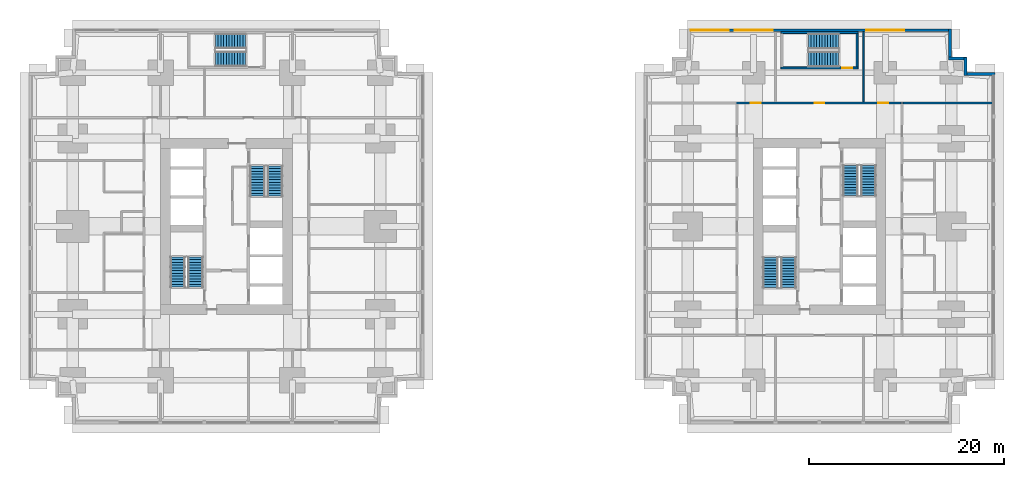
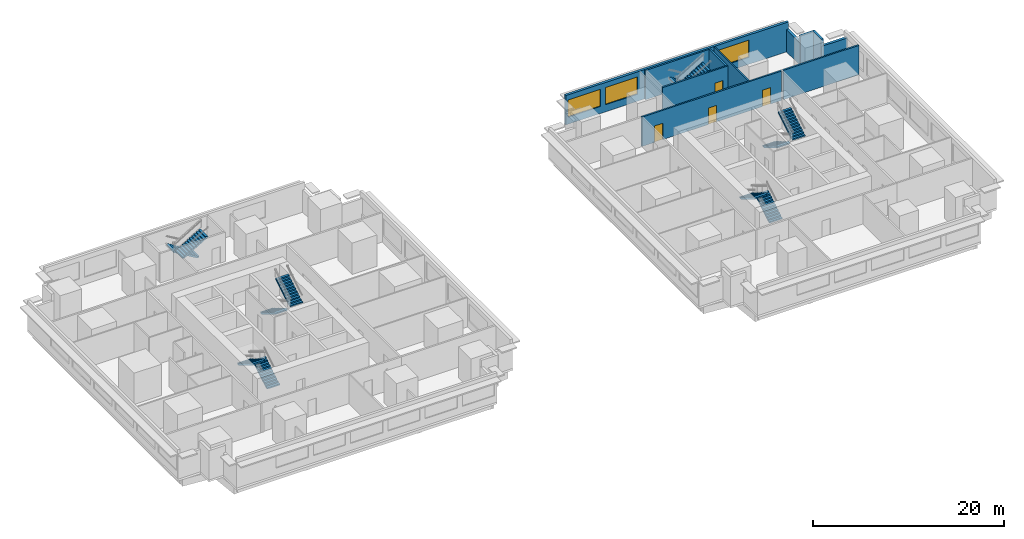
# One storey, part 8 of 11: 12 stair flights, 11 walls, 4 doors, 3 windows, 7 openings, 6 elements without a shape of their own.
"""IFC4 building model written with IfcOpenShell, lengths in metres."""

from ifc_helpers import new_model, si_unit, direction, frame, frame_2d, origin, place, context, subcontext, project, spatial, polyline, rectangle, outline, extrude, material, layer, layer_set, type_object, element, fill, aggregate, save


model = new_model("IFC4")

# Units and contexts
model_context = context("Model", 3, precision=1e-05, world=origin(), true_north=direction((0.0, 1.0)))
body_context = subcontext(model_context, "Body", "Model", "MODEL_VIEW")
ifc_project = project(units=[si_unit("LENGTHUNIT", "METRE"), si_unit("AREAUNIT", "SQUARE_METRE"), si_unit("VOLUMEUNIT", "CUBIC_METRE"), si_unit("PLANEANGLEUNIT", "RADIAN"), si_unit("MASSUNIT", "GRAM", prefix="KILO")], contexts=[model_context])

# Site, building, storey
site_placement = place(None, origin())
site = spatial("IfcSite", under=ifc_project, at=site_placement, CompositionType="ELEMENT")
building_placement = place(site_placement, origin())
building = spatial("IfcBuilding", under=site, at=building_placement, Name="Namib Vertical Campus", CompositionType="ELEMENT")
storey_placement = place(building_placement, frame((0.0, 0.0, 25.0)))
storey = spatial("IfcBuildingStorey", under=building, at=storey_placement, Name="L05", CompositionType="ELEMENT", Elevation=25.0)

# Wall, openings, doors
ifc_material_1 = material(Name="Concrete masonry", Category="masonry")
ifc_layer_1 = layer(ifc_material_1, 0.199951171875)
ifc_layer_set_1 = layer_set([ifc_layer_1], Name="Corridor wall 200")
wall_type_1 = type_object("IfcWallType", Name="Corridor wall 200", PredefinedType="SOLIDWALL", material=ifc_layer_set_1)
wall_1_placement = place(storey_placement, frame((89.35009765625, 32.89990234375, 0.0), z_axis=(0.0, 0.0, 1.0), x_axis=(-1.0, 0.0, 0.0)))
wall_1 = element("IfcWall", 1, at=wall_1_placement, inside=storey, type_object=wall_type_1, Name="Corridor wall B L05 CN", PredefinedType="SOLIDWALL", context=body_context, shape_type="SweptSolid", body=[
    extrude(rectangle(XDim=16.900146484375, YDim=0.199951171875, at=frame_2d((8.4501953125, 0.0))), origin(), (0.0, 0.0, 1.0), 3.75),
])
opening_1_placement = place(wall_1_placement, frame((14.375, 0.0, 0.0)))
opening_1 = element("IfcOpeningElement", 2, at=opening_1_placement, cuts=wall_1, Name="Opening CD1", PredefinedType="OPENING", context=body_context, shape_type="SweptSolid", body=[
    extrude(rectangle(XDim=1.0, YDim=2.10009765625, at=frame_2d((0.5, 1.050048828125))), frame((0.0, 0.10986328125, 0.0), z_axis=(0.0, -1.0, 0.0), x_axis=(1.0, 0.0, 0.0)), (0.0, 0.0, 1.0), 0.219970703125),
])
opening_2_placement = place(wall_1_placement, frame((7.85009765625, 0.0, 0.0)))
opening_2 = element("IfcOpeningElement", 3, at=opening_2_placement, cuts=wall_1, Name="Opening CD1", PredefinedType="OPENING", context=body_context, shape_type="SweptSolid", body=[
    extrude(rectangle(XDim=1.0, YDim=2.10009765625, at=frame_2d((0.5, 1.050048828125))), frame((0.0, 0.10986328125, 0.0), z_axis=(0.0, -1.0, 0.0), x_axis=(1.0, 0.0, 0.0)), (0.0, 0.0, 1.0), 0.219970703125),
])
opening_3_placement = place(wall_1_placement, frame((1.324951171875, 0.0, 0.0)))
opening_3 = element("IfcOpeningElement", 4, at=opening_3_placement, cuts=wall_1, Name="Opening CD1", PredefinedType="OPENING", context=body_context, shape_type="SweptSolid", body=[
    extrude(rectangle(XDim=1.0, YDim=2.10009765625, at=frame_2d((0.5, 1.050048828125))), frame((0.0, 0.10986328125, 0.0), z_axis=(0.0, -1.0, 0.0), x_axis=(1.0, 0.0, 0.0)), (0.0, 0.0, 1.0), 0.219970703125),
])
ifc_material_2 = material(Name="Timber fire door leaf", Category="wood")
door_type_1 = type_object("IfcDoorType", Name="Corridor door 1000x2100 20 min", OperationType="SINGLE_SWING_LEFT", PredefinedType="DOOR", material=ifc_material_2)
door_1_placement = place(opening_1_placement, frame((1.0, 0.0, 0.0), z_axis=(0.0, 0.0, 1.0), x_axis=(-1.0, 0.0, 0.0)))
door_1 = element("IfcDoor", 5, at=door_1_placement, inside=storey, type_object=door_type_1, Name="Door CD1 B05-11", OperationType="SINGLE_SWING_RIGHT", OverallHeight=2.10009765625, OverallWidth=1.0, PredefinedType="DOOR", context=body_context, shape_type="SweptSolid", body=[
    extrude(rectangle(XDim=1.0, YDim=2.10009765625, at=frame_2d((0.5, 1.050048828125))), frame((0.0, 0.02490234375, 0.0), z_axis=(0.0, -1.0, 0.0), x_axis=(1.0, 0.0, 0.0)), (0.0, 0.0, 1.0), 0.050048828125),
])
fill(opening_1, door_1)
door_2_placement = place(opening_2_placement, frame((1.0, 0.0, 0.0), z_axis=(0.0, 0.0, 1.0), x_axis=(-1.0, 0.0, 0.0)))
door_2 = element("IfcDoor", 6, at=door_2_placement, inside=storey, type_object=door_type_1, Name="Door CD1 B05-12", OperationType="SINGLE_SWING_RIGHT", OverallHeight=2.10009765625, OverallWidth=1.0, PredefinedType="DOOR", context=body_context, shape_type="SweptSolid", body=[
    extrude(rectangle(XDim=1.0, YDim=2.10009765625, at=frame_2d((0.5, 1.050048828125))), frame((0.0, 0.02490234375, 0.0), z_axis=(0.0, -1.0, 0.0), x_axis=(1.0, 0.0, 0.0)), (0.0, 0.0, 1.0), 0.050048828125),
])
fill(opening_2, door_2)
door_3_placement = place(opening_3_placement, frame((1.0, 0.0, 0.0), z_axis=(0.0, 0.0, 1.0), x_axis=(-1.0, 0.0, 0.0)))
door_3 = element("IfcDoor", 7, at=door_3_placement, inside=storey, type_object=door_type_1, Name="Door CD1 B05-13", OperationType="SINGLE_SWING_LEFT", OverallHeight=2.10009765625, OverallWidth=1.0, PredefinedType="DOOR", context=body_context, shape_type="SweptSolid", body=[
    extrude(rectangle(XDim=1.0, YDim=2.10009765625, at=frame_2d((0.5, 1.050048828125))), frame((0.0, 0.02490234375, 0.0), z_axis=(0.0, -1.0, 0.0), x_axis=(1.0, 0.0, 0.0)), (0.0, 0.0, 1.0), 0.050048828125),
])
fill(opening_3, door_3)

# Walls
wall_2_placement = place(storey_placement, frame((89.550048828125, 32.89990234375, 0.0), z_axis=(0.0, 0.0, 1.0), x_axis=(1.0, 0.0, 0.0)))
element("IfcWall", 8, at=wall_2_placement, inside=storey, type_object=wall_type_1, Name="Partition B L05 BNE", PredefinedType="SOLIDWALL", context=body_context, shape_type="SweptSolid", body=[
    extrude(rectangle(XDim=9.14990234375, YDim=0.199951171875, at=frame_2d((4.574951171875, 0.0))), origin(), (0.0, 0.0, 1.0), 3.75),
])
ifc_material_3 = material(Name="Concrete C40/50", Category="concrete")
ifc_layer_2 = layer(ifc_material_3, 0.300048828125)
ifc_layer_set_2 = layer_set([ifc_layer_2], Name="Concrete C40/50")
wall_type_2 = type_object("IfcWallType", Name="External wall 300 board-marked concrete", PredefinedType="STANDARD", material=ifc_layer_set_2)
wall_3_placement = place(storey_placement, frame((98.97998046875, 35.85009765625, 0.0), z_axis=(0.0, 0.0, 1.0), x_axis=(-1.0, 0.0, 0.0)))
element("IfcWall", 9, at=wall_3_placement, inside=storey, type_object=wall_type_2, Name="External wall L05 F07", PredefinedType="STANDARD", context=body_context, shape_type="SweptSolid", body=[
    extrude(rectangle(XDim=3.159912109375, YDim=0.300048828125, at=frame_2d((1.580078125, 0.0))), origin(), (0.0, 0.0, 1.0), 2.85009765625),
])
for number, where, z_axis, x_axis, name in (
    (10, (95.949951171875, 35.719970703125, 0.0), (0.0, 0.0, 1.0), (0.0, 1.0, 0.0), "External wall L05 F08"),
    (11, (96.080078125, 37.449951171875, 0.0), (0.0, 0.0, 1.0), (-1.0, 0.0, 0.0), "External wall L05 F09"),
):
    element("IfcWall", number, at=place(storey_placement, frame(where, z_axis=z_axis, x_axis=x_axis)), inside=storey, type_object=wall_type_2, Name=name, PredefinedType="STANDARD", context=body_context, shape_type="SweptSolid", body=[
        extrude(rectangle(XDim=1.860107421875, YDim=0.300048828125, at=frame_2d((0.93017578125, 0.0))), origin(), (0.0, 0.0, 1.0), 3.75),
    ])
wall_4_placement = place(storey_placement, frame((94.35009765625, 37.320068359375, 0.0), z_axis=(0.0, 0.0, 1.0), x_axis=(0.0, 1.0, 0.0)))
element("IfcWall", 12, at=wall_4_placement, inside=storey, type_object=wall_type_2, Name="External wall L05 F10", PredefinedType="STANDARD", context=body_context, shape_type="SweptSolid", body=[
    extrude(rectangle(XDim=3.159912109375, YDim=0.300048828125, at=frame_2d((1.580078125, 0.0))), origin(), (0.0, 0.0, 1.0), 2.85009765625),
])

# Wall, openings, windows
wall_5_placement = place(storey_placement, frame((94.47998046875, 40.35009765625, 0.0), z_axis=(0.0, 0.0, 1.0), x_axis=(-1.0, 0.0, 0.0)))
wall_5 = element("IfcWall", 13, at=wall_5_placement, inside=storey, type_object=wall_type_2, Name="External wall L05 F11", PredefinedType="STANDARD", context=body_context, shape_type="SweptSolid", body=[
    extrude(rectangle(XDim=26.9599609375, YDim=0.300048828125, at=frame_2d((13.47998046875, 0.0))), origin(), (0.0, 0.0, 1.0), 3.75),
])
opening_4_placement = place(wall_5_placement, frame((22.780029296875, 0.0, 0.89990234375)))
opening_4 = element("IfcOpeningElement", 14, at=opening_4_placement, cuts=wall_5, Name="Opening W1", PredefinedType="OPENING", context=body_context, shape_type="SweptSolid", body=[
    extrude(rectangle(XDim=3.89990234375, YDim=2.199951171875, at=frame_2d((1.949951171875, 1.10009765625))), frame((0.0, 0.159912109375, 0.0), z_axis=(0.0, -1.0, 0.0), x_axis=(1.0, 0.0, 0.0)), (0.0, 0.0, 1.0), 0.320068359375),
])
opening_5_placement = place(wall_5_placement, frame((18.280029296875, 0.0, 0.89990234375)))
opening_5 = element("IfcOpeningElement", 15, at=opening_5_placement, cuts=wall_5, Name="Opening W1", PredefinedType="OPENING", context=body_context, shape_type="SweptSolid", body=[
    extrude(rectangle(XDim=3.89990234375, YDim=2.199951171875, at=frame_2d((1.949951171875, 1.10009765625))), frame((0.0, 0.159912109375, 0.0), z_axis=(0.0, -1.0, 0.0), x_axis=(1.0, 0.0, 0.0)), (0.0, 0.0, 1.0), 0.320068359375),
])
opening_6_placement = place(wall_5_placement, frame((4.780029296875, 0.0, 0.89990234375)))
opening_6 = element("IfcOpeningElement", 16, at=opening_6_placement, cuts=wall_5, Name="Opening W1", PredefinedType="OPENING", context=body_context, shape_type="SweptSolid", body=[
    extrude(rectangle(XDim=3.89990234375, YDim=2.199951171875, at=frame_2d((1.949951171875, 1.10009765625))), frame((0.0, 0.159912109375, 0.0), z_axis=(0.0, -1.0, 0.0), x_axis=(1.0, 0.0, 0.0)), (0.0, 0.0, 1.0), 0.320068359375),
])
ifc_material_4 = material(Name="Dark tinted glass in black aluminium frame", Category="aluminium")
window_type = type_object("IfcWindowType", Name="Ribbon window 3900x2200", PartitioningType="SINGLE_PANEL", PredefinedType="WINDOW", material=ifc_material_4)
window_1_placement = place(opening_4_placement, origin())
window_1 = element("IfcWindow", 17, at=window_1_placement, inside=storey, type_object=window_type, Name="Window W1 L05 F11-1", OverallHeight=2.199951171875, OverallWidth=3.89990234375, PartitioningType="SINGLE_PANEL", PredefinedType="WINDOW", context=body_context, shape_type="SweptSolid", body=[
    extrude(rectangle(XDim=3.89990234375, YDim=2.199951171875, at=frame_2d((1.949951171875, 1.10009765625))), frame((0.0, 0.030029296875, 0.0), z_axis=(0.0, -1.0, 0.0), x_axis=(1.0, 0.0, 0.0)), (0.0, 0.0, 1.0), 0.06005859375),
])
fill(opening_4, window_1)
window_2_placement = place(opening_5_placement, origin())
window_2 = element("IfcWindow", 18, at=window_2_placement, inside=storey, type_object=window_type, Name="Window W1 L05 F11-2", OverallHeight=2.199951171875, OverallWidth=3.89990234375, PartitioningType="SINGLE_PANEL", PredefinedType="WINDOW", context=body_context, shape_type="SweptSolid", body=[
    extrude(rectangle(XDim=3.89990234375, YDim=2.199951171875, at=frame_2d((1.949951171875, 1.10009765625))), frame((0.0, 0.030029296875, 0.0), z_axis=(0.0, -1.0, 0.0), x_axis=(1.0, 0.0, 0.0)), (0.0, 0.0, 1.0), 0.06005859375),
])
fill(opening_5, window_2)
window_3_placement = place(opening_6_placement, origin())
window_3 = element("IfcWindow", 19, at=window_3_placement, inside=storey, type_object=window_type, Name="Window W1 L05 F11-5", OverallHeight=2.199951171875, OverallWidth=3.89990234375, PartitioningType="SINGLE_PANEL", PredefinedType="WINDOW", context=body_context, shape_type="SweptSolid", body=[
    extrude(rectangle(XDim=3.89990234375, YDim=2.199951171875, at=frame_2d((1.949951171875, 1.10009765625))), frame((0.0, 0.030029296875, 0.0), z_axis=(0.0, -1.0, 0.0), x_axis=(1.0, 0.0, 0.0)), (0.0, 0.0, 1.0), 0.06005859375),
])
fill(opening_6, window_3)

# Wall
ifc_material_5 = material(Name="Gypsum board on steel studs", Category="steel")
ifc_layer_3 = layer(ifc_material_5, 0.14990234375)
ifc_layer_set_3 = layer_set([ifc_layer_3], Name="Gypsum board on steel studs")
wall_type_3 = type_object("IfcWallType", Name="Partition 150", PredefinedType="PARTITIONING", material=ifc_layer_set_3)
wall_6_placement = place(storey_placement, frame((85.5, 33.0, 0.0), z_axis=(0.0, 0.0, 1.0), x_axis=(0.0, 1.0, 0.0)))
element("IfcWall", 20, at=wall_6_placement, inside=storey, type_object=wall_type_3, Name="Partition B L05 PN2", PredefinedType="PARTITIONING", context=body_context, shape_type="SweptSolid", body=[
    extrude(rectangle(XDim=7.199951171875, YDim=0.14990234375, at=frame_2d((3.60009765625, 0.0))), origin(), (0.0, 0.0, 1.0), 3.75),
])

# Wall, opening, door
ifc_material_6 = material(Name="Concrete C40/50", Category="concrete")
ifc_layer_4 = layer(ifc_material_6, 0.199951171875)
ifc_layer_set_4 = layer_set([ifc_layer_4], Name="Concrete C40/50")
wall_type_4 = type_object("IfcWallType", Name="Stair enclosure wall RC 200", PredefinedType="SOLIDWALL", material=ifc_layer_set_4)
wall_7_placement = place(storey_placement, frame((77.050048828125, 36.5, 0.0), z_axis=(0.0, 0.0, 1.0), x_axis=(1.0, 0.0, 0.0)))
wall_7 = element("IfcWall", 21, at=wall_7_placement, inside=storey, type_object=wall_type_4, Name="Stair enclosure wall B-S3 L05 S", PredefinedType="SOLIDWALL", context=body_context, shape_type="SweptSolid", body=[
    extrude(rectangle(XDim=7.89990234375, YDim=0.199951171875, at=frame_2d((3.949951171875, 0.0))), origin(), (0.0, 0.0, 1.0), 3.75),
])
opening_7_placement = place(wall_7_placement, frame((6.300048828125, 0.0, 0.0)))
opening_7 = element("IfcOpeningElement", 22, at=opening_7_placement, cuts=wall_7, Name="Opening FD1", PredefinedType="OPENING", context=body_context, shape_type="SweptSolid", body=[
    extrude(rectangle(XDim=1.0, YDim=2.10009765625, at=frame_2d((0.5, 1.050048828125))), frame((0.0, 0.10986328125, 0.0), z_axis=(0.0, -1.0, 0.0), x_axis=(1.0, 0.0, 0.0)), (0.0, 0.0, 1.0), 0.219970703125),
])
ifc_material_7 = material(Name="Steel fire door", Category="steel")
door_type_2 = type_object("IfcDoorType", Name="Fire door 1000x2100", OperationType="SINGLE_SWING_RIGHT", PredefinedType="DOOR", material=ifc_material_7)
door_4_placement = place(opening_7_placement, origin())
door_4 = element("IfcDoor", 23, at=door_4_placement, inside=storey, type_object=door_type_2, Name="Stair door FD1 B L05 S3", OperationType="SINGLE_SWING_RIGHT", OverallHeight=2.10009765625, OverallWidth=1.0, PredefinedType="DOOR", context=body_context, shape_type="SweptSolid", body=[
    extrude(rectangle(XDim=1.0, YDim=2.10009765625, at=frame_2d((0.5, 1.050048828125))), frame((0.0, 0.02490234375, 0.0), z_axis=(0.0, -1.0, 0.0), x_axis=(1.0, 0.0, 0.0)), (0.0, 0.0, 1.0), 0.050048828125),
])
fill(opening_7, door_4)

# Walls
wall_8_placement = place(storey_placement, frame((77.050048828125, 40.10009765625, 0.0), z_axis=(0.0, 0.0, 1.0), x_axis=(1.0, 0.0, 0.0)))
element("IfcWall", 24, at=wall_8_placement, inside=storey, type_object=wall_type_4, Name="Stair enclosure wall B-S3 L05 N", PredefinedType="SOLIDWALL", context=body_context, shape_type="SweptSolid", body=[
    extrude(rectangle(XDim=7.89990234375, YDim=0.199951171875, at=frame_2d((3.949951171875, 0.0))), origin(), (0.0, 0.0, 1.0), 3.75),
])
wall_9_placement = place(storey_placement, frame((84.85009765625, 36.60009765625, 0.0), z_axis=(0.0, 0.0, 1.0), x_axis=(0.0, 1.0, 0.0)))
element("IfcWall", 25, at=wall_9_placement, inside=storey, type_object=wall_type_4, Name="Stair enclosure wall B-S3 L05 E", PredefinedType="SOLIDWALL", context=body_context, shape_type="SweptSolid", body=[
    extrude(rectangle(XDim=3.39990234375, YDim=0.199951171875, at=frame_2d((1.699951171875, 0.0))), origin(), (0.0, 0.0, 1.0), 3.75),
])

# Stair, stair flights
ifc_material_8 = material(Name="Concrete C40/50 precast", Category="concrete")
stair_type_1 = type_object("IfcStairType", Name="Exit stair 4000 rise 24 risers 3350 wide", PredefinedType="HALF_TURN_STAIR", material=ifc_material_8)
stair_1_placement = place(storey_placement, origin())
stair_1 = element("IfcStair", 26, at=stair_1_placement, inside=storey, type_object=stair_type_1, Name="Exit stair A-S1 L05", PredefinedType="HALF_TURN_STAIR")
ifc_material_9 = material(Name="Concrete C40/50 precast", Category="concrete")
stair_flight_type_1 = type_object("IfcStairFlightType", Name="Stair flight 12 risers 167 1525 wide", PredefinedType="STRAIGHT", material=ifc_material_9)
stair_flight_1_placement = place(storey_placement, frame((17.08740234375, 14.050048828125, 0.0), z_axis=(0.0, 0.0, 1.0), x_axis=(0.0, 1.0, 0.0)))
stair_flight_1 = element("IfcStairFlight", 27, at=stair_flight_1_placement, type_object=stair_flight_type_1, Name="A-S1 flight 1", NumberOfRisers=12, NumberOfTreads=11, PredefinedType="STRAIGHT", RiserHeight=0.166666667, TreadLength=0.28, context=body_context, shape_type="SweptSolid", body=[
    extrude(outline(polyline([(0.0, 0.0), (0.0, 0.166748046875), (0.280029296875, 0.166748046875), (0.280029296875, 0.333251953125), (0.56005859375, 0.333251953125), (0.56005859375, 0.5), (0.840087890625, 0.5), (0.840087890625, 0.666748046875), (1.1201171875, 0.666748046875), (1.1201171875, 0.833251953125), (1.39990234375, 0.833251953125), (1.39990234375, 1.0), (1.679931640625, 1.0), (1.679931640625, 1.166748046875), (1.9599609375, 1.166748046875), (1.9599609375, 1.333251953125), (2.239990234375, 1.333251953125), (2.239990234375, 1.5), (2.52001953125, 1.5), (2.52001953125, 1.666748046875), (2.800048828125, 1.666748046875), (2.800048828125, 1.833251953125), (3.080078125, 1.833251953125), (3.080078125, 2.0), (3.080078125, 1.658935546875), (0.29296875, 0.0), (0.0, 0.0)])), frame((0.0, 0.762451171875, 0.0), z_axis=(0.0, -1.0, 0.0), x_axis=(1.0, 0.0, 0.0)), (0.0, 0.0, 1.0), 1.52490234375),
])
stair_flight_2_placement = place(storey_placement, frame((15.262451171875, 17.1298828125, 2.0), z_axis=(0.0, 0.0, 1.0), x_axis=(0.0, -1.0, 0.0)))
stair_flight_2 = element("IfcStairFlight", 28, at=stair_flight_2_placement, type_object=stair_flight_type_1, Name="A-S1 flight 2", NumberOfRisers=12, NumberOfTreads=11, PredefinedType="STRAIGHT", RiserHeight=0.166666667, TreadLength=0.28, context=body_context, shape_type="SweptSolid", body=[
    extrude(outline(polyline([(0.0, 0.0), (0.0, 0.166748046875), (0.280029296875, 0.166748046875), (0.280029296875, 0.333251953125), (0.56005859375, 0.333251953125), (0.56005859375, 0.5), (0.840087890625, 0.5), (0.840087890625, 0.666748046875), (1.1201171875, 0.666748046875), (1.1201171875, 0.833251953125), (1.39990234375, 0.833251953125), (1.39990234375, 1.0), (1.679931640625, 1.0), (1.679931640625, 1.166748046875), (1.9599609375, 1.166748046875), (1.9599609375, 1.333251953125), (2.239990234375, 1.333251953125), (2.239990234375, 1.5), (2.52001953125, 1.5), (2.52001953125, 1.666748046875), (2.800048828125, 1.666748046875), (2.800048828125, 1.833251953125), (3.080078125, 1.833251953125), (3.080078125, 2.0), (3.080078125, 1.658935546875), (0.29296875, 0.0), (0.0, 0.0)])), frame((0.0, 0.762451171875, 0.0), z_axis=(0.0, -1.0, 0.0), x_axis=(1.0, 0.0, 0.0)), (0.0, 0.0, 1.0), 1.52490234375),
])
aggregate(stair_1, [stair_flight_1, stair_flight_2])

stair_2_placement = place(storey_placement, origin())
stair_2 = element("IfcStair", 29, at=stair_2_placement, inside=storey, type_object=stair_type_1, Name="Exit stair A-S2 L05", PredefinedType="HALF_TURN_STAIR")
stair_flight_3_placement = place(storey_placement, frame((23.41259765625, 26.449951171875, 0.0), z_axis=(0.0, 0.0, 1.0), x_axis=(0.0, -1.0, 0.0)))
stair_flight_3 = element("IfcStairFlight", 30, at=stair_flight_3_placement, type_object=stair_flight_type_1, Name="A-S2 flight 1", NumberOfRisers=12, NumberOfTreads=11, PredefinedType="STRAIGHT", RiserHeight=0.166666667, TreadLength=0.28, context=body_context, shape_type="SweptSolid", body=[
    extrude(outline(polyline([(0.0, 0.0), (0.0, 0.166748046875), (0.280029296875, 0.166748046875), (0.280029296875, 0.333251953125), (0.56005859375, 0.333251953125), (0.56005859375, 0.5), (0.840087890625, 0.5), (0.840087890625, 0.666748046875), (1.1201171875, 0.666748046875), (1.1201171875, 0.833251953125), (1.39990234375, 0.833251953125), (1.39990234375, 1.0), (1.679931640625, 1.0), (1.679931640625, 1.166748046875), (1.9599609375, 1.166748046875), (1.9599609375, 1.333251953125), (2.239990234375, 1.333251953125), (2.239990234375, 1.5), (2.52001953125, 1.5), (2.52001953125, 1.666748046875), (2.800048828125, 1.666748046875), (2.800048828125, 1.833251953125), (3.080078125, 1.833251953125), (3.080078125, 2.0), (3.080078125, 1.658935546875), (0.29296875, 0.0), (0.0, 0.0)])), frame((0.0, 0.762451171875, 0.0), z_axis=(0.0, -1.0, 0.0), x_axis=(1.0, 0.0, 0.0)), (0.0, 0.0, 1.0), 1.52490234375),
])
stair_flight_4_placement = place(storey_placement, frame((25.237548828125, 23.3701171875, 2.0), z_axis=(0.0, 0.0, 1.0), x_axis=(0.0, 1.0, 0.0)))
stair_flight_4 = element("IfcStairFlight", 31, at=stair_flight_4_placement, type_object=stair_flight_type_1, Name="A-S2 flight 2", NumberOfRisers=12, NumberOfTreads=11, PredefinedType="STRAIGHT", RiserHeight=0.166666667, TreadLength=0.28, context=body_context, shape_type="SweptSolid", body=[
    extrude(outline(polyline([(0.0, 0.0), (0.0, 0.166748046875), (0.280029296875, 0.166748046875), (0.280029296875, 0.333251953125), (0.56005859375, 0.333251953125), (0.56005859375, 0.5), (0.840087890625, 0.5), (0.840087890625, 0.666748046875), (1.1201171875, 0.666748046875), (1.1201171875, 0.833251953125), (1.39990234375, 0.833251953125), (1.39990234375, 1.0), (1.679931640625, 1.0), (1.679931640625, 1.166748046875), (1.9599609375, 1.166748046875), (1.9599609375, 1.333251953125), (2.239990234375, 1.333251953125), (2.239990234375, 1.5), (2.52001953125, 1.5), (2.52001953125, 1.666748046875), (2.800048828125, 1.666748046875), (2.800048828125, 1.833251953125), (3.080078125, 1.833251953125), (3.080078125, 2.0), (3.080078125, 1.658935546875), (0.29296875, 0.0), (0.0, 0.0)])), frame((0.0, 0.762451171875, 0.0), z_axis=(0.0, -1.0, 0.0), x_axis=(1.0, 0.0, 0.0)), (0.0, 0.0, 1.0), 1.52490234375),
])
aggregate(stair_2, [stair_flight_3, stair_flight_4])

stair_3_placement = place(storey_placement, origin())
stair_3 = element("IfcStair", 32, at=stair_3_placement, inside=storey, type_object=stair_type_1, Name="Exit stair A-S3 L05", PredefinedType="HALF_TURN_STAIR")
stair_flight_5_placement = place(storey_placement, frame((22.199951171875, 39.237548828125, 0.0), z_axis=(0.0, 0.0, 1.0), x_axis=(-1.0, 0.0, 0.0)))
stair_flight_5 = element("IfcStairFlight", 33, at=stair_flight_5_placement, type_object=stair_flight_type_1, Name="A-S3 flight 1", NumberOfRisers=12, NumberOfTreads=11, PredefinedType="STRAIGHT", RiserHeight=0.166666667, TreadLength=0.28, context=body_context, shape_type="SweptSolid", body=[
    extrude(outline(polyline([(0.0, 0.0), (0.0, 0.166748046875), (0.280029296875, 0.166748046875), (0.280029296875, 0.333251953125), (0.56005859375, 0.333251953125), (0.56005859375, 0.5), (0.840087890625, 0.5), (0.840087890625, 0.666748046875), (1.1201171875, 0.666748046875), (1.1201171875, 0.833251953125), (1.39990234375, 0.833251953125), (1.39990234375, 1.0), (1.679931640625, 1.0), (1.679931640625, 1.166748046875), (1.9599609375, 1.166748046875), (1.9599609375, 1.333251953125), (2.239990234375, 1.333251953125), (2.239990234375, 1.5), (2.52001953125, 1.5), (2.52001953125, 1.666748046875), (2.800048828125, 1.666748046875), (2.800048828125, 1.833251953125), (3.080078125, 1.833251953125), (3.080078125, 2.0), (3.080078125, 1.658935546875), (0.29296875, 0.0), (0.0, 0.0)])), frame((0.0, 0.762451171875, 0.0), z_axis=(0.0, -1.0, 0.0), x_axis=(1.0, 0.0, 0.0)), (0.0, 0.0, 1.0), 1.52490234375),
])
stair_flight_6_placement = place(storey_placement, frame((19.1201171875, 37.41259765625, 2.0), z_axis=(0.0, 0.0, 1.0), x_axis=(1.0, 0.0, 0.0)))
stair_flight_6 = element("IfcStairFlight", 34, at=stair_flight_6_placement, type_object=stair_flight_type_1, Name="A-S3 flight 2", NumberOfRisers=12, NumberOfTreads=11, PredefinedType="STRAIGHT", RiserHeight=0.166666667, TreadLength=0.28, context=body_context, shape_type="SweptSolid", body=[
    extrude(outline(polyline([(0.0, 0.0), (0.0, 0.166748046875), (0.280029296875, 0.166748046875), (0.280029296875, 0.333251953125), (0.56005859375, 0.333251953125), (0.56005859375, 0.5), (0.840087890625, 0.5), (0.840087890625, 0.666748046875), (1.1201171875, 0.666748046875), (1.1201171875, 0.833251953125), (1.39990234375, 0.833251953125), (1.39990234375, 1.0), (1.679931640625, 1.0), (1.679931640625, 1.166748046875), (1.9599609375, 1.166748046875), (1.9599609375, 1.333251953125), (2.239990234375, 1.333251953125), (2.239990234375, 1.5), (2.52001953125, 1.5), (2.52001953125, 1.666748046875), (2.800048828125, 1.666748046875), (2.800048828125, 1.833251953125), (3.080078125, 1.833251953125), (3.080078125, 2.0), (3.080078125, 1.658935546875), (0.29296875, 0.0), (0.0, 0.0)])), frame((0.0, 0.762451171875, 0.0), z_axis=(0.0, -1.0, 0.0), x_axis=(1.0, 0.0, 0.0)), (0.0, 0.0, 1.0), 1.52490234375),
])
aggregate(stair_3, [stair_flight_5, stair_flight_6])

ifc_material_10 = material(Name="Concrete C40/50 precast", Category="concrete")
stair_type_2 = type_object("IfcStairType", Name="Exit stair 4000 rise 24 risers 3400 wide", PredefinedType="HALF_TURN_STAIR", material=ifc_material_10)
stair_4_placement = place(storey_placement, origin())
stair_4 = element("IfcStair", 35, at=stair_4_placement, inside=storey, type_object=stair_type_2, Name="Exit stair B-S1 L05", PredefinedType="HALF_TURN_STAIR")
ifc_material_11 = material(Name="Concrete C40/50 precast", Category="concrete")
stair_flight_type_2 = type_object("IfcStairFlightType", Name="Stair flight 12 risers 167 1550 wide", PredefinedType="STRAIGHT", material=ifc_material_11)
stair_flight_7_placement = place(storey_placement, frame((77.824951171875, 14.0, 0.0), z_axis=(0.0, 0.0, 1.0), x_axis=(0.0, 1.0, 0.0)))
stair_flight_7 = element("IfcStairFlight", 36, at=stair_flight_7_placement, type_object=stair_flight_type_2, Name="B-S1 flight 1", NumberOfRisers=12, NumberOfTreads=11, PredefinedType="STRAIGHT", RiserHeight=0.166666667, TreadLength=0.28, context=body_context, shape_type="SweptSolid", body=[
    extrude(outline(polyline([(0.0, 0.0), (0.0, 0.166748046875), (0.280029296875, 0.166748046875), (0.280029296875, 0.333251953125), (0.56005859375, 0.333251953125), (0.56005859375, 0.5), (0.840087890625, 0.5), (0.840087890625, 0.666748046875), (1.1201171875, 0.666748046875), (1.1201171875, 0.833251953125), (1.39990234375, 0.833251953125), (1.39990234375, 1.0), (1.679931640625, 1.0), (1.679931640625, 1.166748046875), (1.9599609375, 1.166748046875), (1.9599609375, 1.333251953125), (2.239990234375, 1.333251953125), (2.239990234375, 1.5), (2.52001953125, 1.5), (2.52001953125, 1.666748046875), (2.800048828125, 1.666748046875), (2.800048828125, 1.833251953125), (3.080078125, 1.833251953125), (3.080078125, 2.0), (3.080078125, 1.658935546875), (0.29296875, 0.0), (0.0, 0.0)])), frame((0.0, 0.77490234375, 0.0), z_axis=(0.0, -1.0, 0.0), x_axis=(1.0, 0.0, 0.0)), (0.0, 0.0, 1.0), 1.550048828125),
])
stair_flight_8_placement = place(storey_placement, frame((75.97509765625, 17.080078125, 2.0), z_axis=(0.0, 0.0, 1.0), x_axis=(0.0, -1.0, 0.0)))
stair_flight_8 = element("IfcStairFlight", 37, at=stair_flight_8_placement, type_object=stair_flight_type_2, Name="B-S1 flight 2", NumberOfRisers=12, NumberOfTreads=11, PredefinedType="STRAIGHT", RiserHeight=0.166666667, TreadLength=0.28, context=body_context, shape_type="SweptSolid", body=[
    extrude(outline(polyline([(0.0, 0.0), (0.0, 0.166748046875), (0.280029296875, 0.166748046875), (0.280029296875, 0.333251953125), (0.56005859375, 0.333251953125), (0.56005859375, 0.5), (0.840087890625, 0.5), (0.840087890625, 0.666748046875), (1.1201171875, 0.666748046875), (1.1201171875, 0.833251953125), (1.39990234375, 0.833251953125), (1.39990234375, 1.0), (1.679931640625, 1.0), (1.679931640625, 1.166748046875), (1.9599609375, 1.166748046875), (1.9599609375, 1.333251953125), (2.239990234375, 1.333251953125), (2.239990234375, 1.5), (2.52001953125, 1.5), (2.52001953125, 1.666748046875), (2.800048828125, 1.666748046875), (2.800048828125, 1.833251953125), (3.080078125, 1.833251953125), (3.080078125, 2.0), (3.080078125, 1.658935546875), (0.29296875, 0.0), (0.0, 0.0)])), frame((0.0, 0.77490234375, 0.0), z_axis=(0.0, -1.0, 0.0), x_axis=(1.0, 0.0, 0.0)), (0.0, 0.0, 1.0), 1.550048828125),
])
aggregate(stair_4, [stair_flight_7, stair_flight_8])

stair_5_placement = place(storey_placement, origin())
stair_5 = element("IfcStair", 38, at=stair_5_placement, inside=storey, type_object=stair_type_2, Name="Exit stair B-S2 L05", PredefinedType="HALF_TURN_STAIR")
stair_flight_9_placement = place(storey_placement, frame((84.175048828125, 26.5, 0.0), z_axis=(0.0, 0.0, 1.0), x_axis=(0.0, -1.0, 0.0)))
stair_flight_9 = element("IfcStairFlight", 39, at=stair_flight_9_placement, type_object=stair_flight_type_2, Name="B-S2 flight 1", NumberOfRisers=12, NumberOfTreads=11, PredefinedType="STRAIGHT", RiserHeight=0.166666667, TreadLength=0.28, context=body_context, shape_type="SweptSolid", body=[
    extrude(outline(polyline([(0.0, 0.0), (0.0, 0.166748046875), (0.280029296875, 0.166748046875), (0.280029296875, 0.333251953125), (0.56005859375, 0.333251953125), (0.56005859375, 0.5), (0.840087890625, 0.5), (0.840087890625, 0.666748046875), (1.1201171875, 0.666748046875), (1.1201171875, 0.833251953125), (1.39990234375, 0.833251953125), (1.39990234375, 1.0), (1.679931640625, 1.0), (1.679931640625, 1.166748046875), (1.9599609375, 1.166748046875), (1.9599609375, 1.333251953125), (2.239990234375, 1.333251953125), (2.239990234375, 1.5), (2.52001953125, 1.5), (2.52001953125, 1.666748046875), (2.800048828125, 1.666748046875), (2.800048828125, 1.833251953125), (3.080078125, 1.833251953125), (3.080078125, 2.0), (3.080078125, 1.658935546875), (0.29296875, 0.0), (0.0, 0.0)])), frame((0.0, 0.77490234375, 0.0), z_axis=(0.0, -1.0, 0.0), x_axis=(1.0, 0.0, 0.0)), (0.0, 0.0, 1.0), 1.550048828125),
])
stair_flight_10_placement = place(storey_placement, frame((86.02490234375, 23.419921875, 2.0), z_axis=(0.0, 0.0, 1.0), x_axis=(0.0, 1.0, 0.0)))
stair_flight_10 = element("IfcStairFlight", 40, at=stair_flight_10_placement, type_object=stair_flight_type_2, Name="B-S2 flight 2", NumberOfRisers=12, NumberOfTreads=11, PredefinedType="STRAIGHT", RiserHeight=0.166666667, TreadLength=0.28, context=body_context, shape_type="SweptSolid", body=[
    extrude(outline(polyline([(0.0, 0.0), (0.0, 0.166748046875), (0.280029296875, 0.166748046875), (0.280029296875, 0.333251953125), (0.56005859375, 0.333251953125), (0.56005859375, 0.5), (0.840087890625, 0.5), (0.840087890625, 0.666748046875), (1.1201171875, 0.666748046875), (1.1201171875, 0.833251953125), (1.39990234375, 0.833251953125), (1.39990234375, 1.0), (1.679931640625, 1.0), (1.679931640625, 1.166748046875), (1.9599609375, 1.166748046875), (1.9599609375, 1.333251953125), (2.239990234375, 1.333251953125), (2.239990234375, 1.5), (2.52001953125, 1.5), (2.52001953125, 1.666748046875), (2.800048828125, 1.666748046875), (2.800048828125, 1.833251953125), (3.080078125, 1.833251953125), (3.080078125, 2.0), (3.080078125, 1.658935546875), (0.29296875, 0.0), (0.0, 0.0)])), frame((0.0, 0.77490234375, 0.0), z_axis=(0.0, -1.0, 0.0), x_axis=(1.0, 0.0, 0.0)), (0.0, 0.0, 1.0), 1.550048828125),
])
aggregate(stair_5, [stair_flight_9, stair_flight_10])

stair_6_placement = place(storey_placement, origin())
stair_6 = element("IfcStair", 41, at=stair_6_placement, inside=storey, type_object=stair_type_2, Name="Exit stair B-S3 L05", PredefinedType="HALF_TURN_STAIR")
stair_flight_11_placement = place(storey_placement, frame((82.949951171875, 39.22509765625, 0.0), z_axis=(0.0, 0.0, 1.0), x_axis=(-1.0, 0.0, 0.0)))
stair_flight_11 = element("IfcStairFlight", 42, at=stair_flight_11_placement, type_object=stair_flight_type_2, Name="B-S3 flight 1", NumberOfRisers=12, NumberOfTreads=11, PredefinedType="STRAIGHT", RiserHeight=0.166666667, TreadLength=0.28, context=body_context, shape_type="SweptSolid", body=[
    extrude(outline(polyline([(0.0, 0.0), (0.0, 0.166748046875), (0.280029296875, 0.166748046875), (0.280029296875, 0.333251953125), (0.56005859375, 0.333251953125), (0.56005859375, 0.5), (0.840087890625, 0.5), (0.840087890625, 0.666748046875), (1.1201171875, 0.666748046875), (1.1201171875, 0.833251953125), (1.39990234375, 0.833251953125), (1.39990234375, 1.0), (1.679931640625, 1.0), (1.679931640625, 1.166748046875), (1.9599609375, 1.166748046875), (1.9599609375, 1.333251953125), (2.239990234375, 1.333251953125), (2.239990234375, 1.5), (2.52001953125, 1.5), (2.52001953125, 1.666748046875), (2.800048828125, 1.666748046875), (2.800048828125, 1.833251953125), (3.080078125, 1.833251953125), (3.080078125, 2.0), (3.080078125, 1.658935546875), (0.29296875, 0.0), (0.0, 0.0)])), frame((0.0, 0.77490234375, 0.0), z_axis=(0.0, -1.0, 0.0), x_axis=(1.0, 0.0, 0.0)), (0.0, 0.0, 1.0), 1.550048828125),
])
stair_flight_12_placement = place(storey_placement, frame((79.8701171875, 37.375, 2.0), z_axis=(0.0, 0.0, 1.0), x_axis=(1.0, 0.0, 0.0)))
stair_flight_12 = element("IfcStairFlight", 43, at=stair_flight_12_placement, type_object=stair_flight_type_2, Name="B-S3 flight 2", NumberOfRisers=12, NumberOfTreads=11, PredefinedType="STRAIGHT", RiserHeight=0.166666667, TreadLength=0.28, context=body_context, shape_type="SweptSolid", body=[
    extrude(outline(polyline([(0.0, 0.0), (0.0, 0.166748046875), (0.280029296875, 0.166748046875), (0.280029296875, 0.333251953125), (0.56005859375, 0.333251953125), (0.56005859375, 0.5), (0.840087890625, 0.5), (0.840087890625, 0.666748046875), (1.1201171875, 0.666748046875), (1.1201171875, 0.833251953125), (1.39990234375, 0.833251953125), (1.39990234375, 1.0), (1.679931640625, 1.0), (1.679931640625, 1.166748046875), (1.9599609375, 1.166748046875), (1.9599609375, 1.333251953125), (2.239990234375, 1.333251953125), (2.239990234375, 1.5), (2.52001953125, 1.5), (2.52001953125, 1.666748046875), (2.800048828125, 1.666748046875), (2.800048828125, 1.833251953125), (3.080078125, 1.833251953125), (3.080078125, 2.0), (3.080078125, 1.658935546875), (0.29296875, 0.0), (0.0, 0.0)])), frame((0.0, 0.77490234375, 0.0), z_axis=(0.0, -1.0, 0.0), x_axis=(1.0, 0.0, 0.0)), (0.0, 0.0, 1.0), 1.550048828125),
])
aggregate(stair_6, [stair_flight_11, stair_flight_12])

save(model, "model.ifc")
